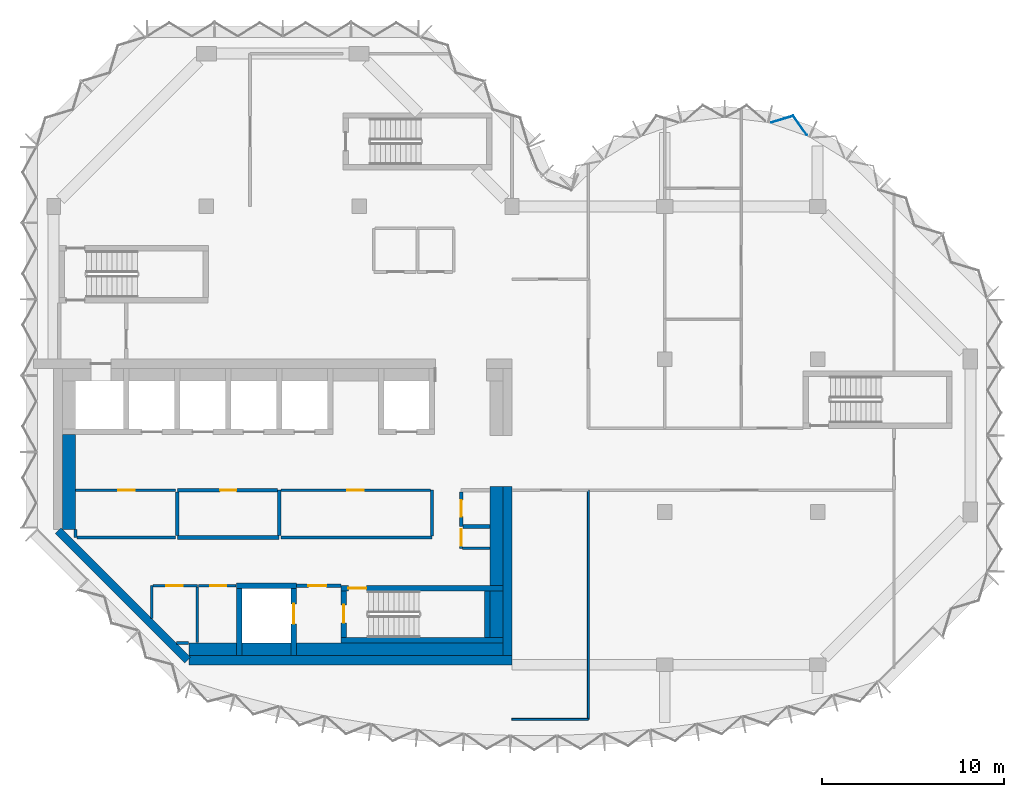
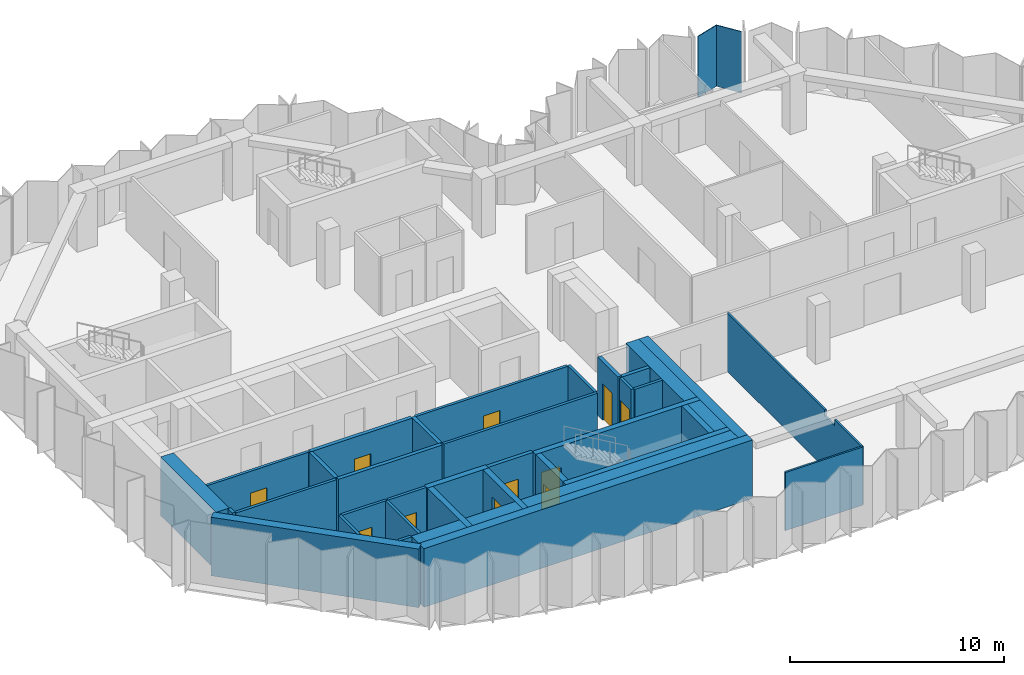
# One storey, part 4 of 9: 38 walls, 11 doors, 1 plate, 11 openings, 1 element without a shape of its own.
"""IFC4 building model written with IfcOpenShell, lengths in metres."""

import ifcopenshell
import ifcopenshell.guid

model = None  # the IFC model being written
_history = None  # IfcOwnerHistory: only IFC2X3 demands one
_inside = {}  # id of a spatial element -> (the spatial element, [elements in it])
_under = {}  # id of a project, library or spatial element -> (it, [spatial elements below it])
_declared = {}  # id of a project -> (the project, [libraries it declares])
_typed = {}  # id of a type object -> (the type object, [elements of that type])
_made_of = {}  # id of a material, layer set ... -> (it, [elements and type objects made of it])


def new_model(schema):
    """Start an empty IFC model of exactly this schema.

    Asked for "IFC4X3", IfcOpenShell would pick the latest addendum, in which some entities
    have other attributes; the version numbers below select the first issue.
    IFC2X3 requires an IfcOwnerHistory on every rooted entity: one is made here for all.
    """
    global model, _history
    if schema == "IFC4X3":
        model = ifcopenshell.file(schema_version=(4, 3, 0, 0))
    else:
        model = ifcopenshell.file(schema=schema)
    _inside.clear()
    _under.clear()
    _declared.clear()
    _typed.clear()
    _made_of.clear()
    _history = None
    if model.schema == "IFC2X3":
        org = make("IfcOrganization", Name="unknown")
        user = make(
            "IfcPersonAndOrganization",
            ThePerson=make("IfcPerson", FamilyName="unknown"),
            TheOrganization=org,
        )
        app = make(
            "IfcApplication",
            ApplicationDeveloper=org,
            Version="unknown",
            ApplicationFullName="unknown",
            ApplicationIdentifier="unknown",
        )
        _history = make(
            "IfcOwnerHistory",
            OwningUser=user,
            OwningApplication=app,
            ChangeAction="ADDED",
            CreationDate=0,
        )
    return model


def make(cls, **values):
    """One entity of the class cls with the attributes given. An attribute that is None is left unset."""
    return model.create_entity(
        cls, **{name: value for name, value in values.items() if value is not None}
    )


def rooted(cls, **values):
    """An entity with a GlobalId (a new one), such as an element, a storey or a relation."""
    return make(cls, GlobalId=ifcopenshell.guid.new(), OwnerHistory=_history, **values)


def si_unit(unit_type, name, prefix=None):
    """IfcSIUnit, for example si_unit("LENGTHUNIT", "METRE", prefix="MILLI")."""
    return make("IfcSIUnit", UnitType=unit_type, Prefix=prefix, Name=name)


def assignment(units):
    """IfcUnitAssignment: the units of a project."""
    return None if units is None else make("IfcUnitAssignment", Units=units)


def point(xyz):
    """IfcCartesianPoint."""
    return None if xyz is None else make("IfcCartesianPoint", Coordinates=xyz)


def direction(xyz):
    """IfcDirection."""
    return None if xyz is None else make("IfcDirection", DirectionRatios=xyz)


def frame(location, z_axis=None, x_axis=None):
    """IfcAxis2Placement3D, a coordinate frame: its origin and axes. An axis left out is left unset."""
    return make(
        "IfcAxis2Placement3D",
        Location=point(location),
        Axis=direction(z_axis),
        RefDirection=direction(x_axis),
    )


def frame_2d(location, x_axis=None):
    """IfcAxis2Placement2D, a coordinate frame in the plane: its origin and x axis."""
    return make(
        "IfcAxis2Placement2D", Location=point(location), RefDirection=direction(x_axis)
    )


def origin():
    """The frame at (0, 0, 0) with its axes left unset."""
    return frame((0.0, 0.0, 0.0))


def place(relative_to, where):
    """IfcLocalPlacement: puts the frame where relative to a parent placement (None: the world)."""
    return make(
        "IfcLocalPlacement", PlacementRelTo=relative_to, RelativePlacement=where
    )


def context(
    kind, dimensions, precision=None, world=None, true_north=None, identifier=None
):
    """IfcGeometricRepresentationContext, for example the 3D "Model" context."""
    return make(
        "IfcGeometricRepresentationContext",
        ContextIdentifier=identifier,
        ContextType=kind,
        CoordinateSpaceDimension=dimensions,
        Precision=precision,
        WorldCoordinateSystem=world,
        TrueNorth=true_north,
    )


def subcontext(parent, identifier, kind, view, scale=None):
    """IfcGeometricRepresentationSubContext, for example "Body" below "Model"."""
    return make(
        "IfcGeometricRepresentationSubContext",
        ContextIdentifier=identifier,
        ContextType=kind,
        ParentContext=parent,
        TargetScale=scale,
        TargetView=view,
    )


def project(units=None, contexts=None):
    """IfcProject with its units and contexts."""
    return rooted(
        "IfcProject",
        Name="project",
        RepresentationContexts=contexts,
        UnitsInContext=assignment(units),
    )


def spatial(cls, under=None, at=None, **own):
    """A site, building, storey or space (cls), placed at a placement, below another one or the project."""
    s = rooted(cls, ObjectPlacement=at, **own)
    if under is not None:
        _under.setdefault(under.id(), (under, []))[1].append(s)
    return s


def polyline(points):
    """IfcPolyline through the points."""
    return make("IfcPolyline", Points=[point(p) for p in points])


def profile(cls, at=None, kind="AREA", **sizes):
    """A parametric profile (cls). Its sizes go by their IFC names, for example OverallWidth=200.0."""
    return make(cls, ProfileType=kind, Position=at, **sizes)


def rectangle(**sizes):
    """IfcRectangleProfileDef."""
    return profile("IfcRectangleProfileDef", **sizes)


def outline(outer, holes=None, kind="AREA"):
    """IfcArbitraryClosedProfileDef: a profile drawn as a closed curve; with holes, ...WithVoids."""
    if holes is None:
        return make("IfcArbitraryClosedProfileDef", ProfileType=kind, OuterCurve=outer)
    return make(
        "IfcArbitraryProfileDefWithVoids",
        ProfileType=kind,
        OuterCurve=outer,
        InnerCurves=holes,
    )


def extrude(swept, where, along, depth):
    """IfcExtrudedAreaSolid: the profile swept, set in the frame where, extruded along a direction by depth."""
    return make(
        "IfcExtrudedAreaSolid",
        SweptArea=swept,
        Position=where,
        ExtrudedDirection=direction(along),
        Depth=depth,
    )


def shape(context_of_items, identifier, shape_type, items):
    """IfcShapeRepresentation: the items that make up one representation, for example the "Body"."""
    return make(
        "IfcShapeRepresentation",
        ContextOfItems=context_of_items,
        RepresentationIdentifier=identifier,
        RepresentationType=shape_type,
        Items=items,
    )


def material(Name=None, Category=None):
    """IfcMaterial."""
    return make("IfcMaterial", Name=Name, Category=Category)


def layer(
    of_material, thickness, ventilated=None, Name=None, Category=None, Priority=None
):
    """IfcMaterialLayer: one layer of a wall or slab, of a material (None: an air gap)."""
    return make(
        "IfcMaterialLayer",
        Material=of_material,
        LayerThickness=thickness,
        IsVentilated=ventilated,
        Name=Name,
        Category=Category,
        Priority=Priority,
    )


def layer_set(layers, Name=None):
    """IfcMaterialLayerSet."""
    return make("IfcMaterialLayerSet", MaterialLayers=layers, LayerSetName=Name)


def made_of(thing, what):
    """Note that an element or type object is made of a material, layer set ...; save() writes the relation."""
    if what is not None:
        _made_of.setdefault(what.id(), (what, []))[1].append(thing)
    return thing


def type_object(cls, material=None, **own):
    """A type object (cls), such as IfcWallType, which elements share."""
    return made_of(rooted(cls, **own), material)


def element(
    cls,
    number,
    at=None,
    inside=None,
    cuts=None,
    type_object=None,
    material=None,
    context=None,
    identifier="Body",
    shape_type=None,
    held_by="IfcProductDefinitionShape",
    body=None,
    shapes=None,
    **own,
):
    """One element of the class cls, such as IfcWall. Its Tag is "e" and its number.

    at: its placement. inside: the storey or other place that contains it. cuts: it is an
    opening in that element (IfcRelVoidsElement). A single representation is given by context,
    identifier, shape_type and body (its items); several are given by shapes. held_by: the class
    of the entity that holds the representations. save() writes the other relations.
    """
    e = rooted(cls, Tag="e%d" % number, ObjectPlacement=at, **own)
    if body is not None:
        shapes = [shape(context, identifier, shape_type, body)]
    if shapes is not None:
        e.Representation = make(held_by, Representations=shapes)
    if inside is not None:
        _inside.setdefault(inside.id(), (inside, []))[1].append(e)
    if cuts is not None:
        rooted(
            "IfcRelVoidsElement", RelatingBuildingElement=cuts, RelatedOpeningElement=e
        )
    if type_object is not None:
        _typed.setdefault(type_object.id(), (type_object, []))[1].append(e)
    return made_of(e, material)


def fill(opening, filler):
    """IfcRelFillsElement: the door or window that sits in an opening."""
    return rooted(
        "IfcRelFillsElement",
        RelatingOpeningElement=opening,
        RelatedBuildingElement=filler,
    )


def aggregate(whole, parts):
    """IfcRelAggregates: a whole, such as a stair, and the parts it consists of."""
    return rooted("IfcRelAggregates", RelatingObject=whole, RelatedObjects=parts)


def save(model, path):
    """Write the relations noted so far, then the file.

    IfcRelAggregates (storeys below a building ...), IfcRelContainedInSpatialStructure (elements
    in a storey), IfcRelDefinesByType, IfcRelAssociatesMaterial and IfcRelDeclares: one each for
    every whole, place, type object, material and project.
    """
    for whole, parts in _under.values():
        aggregate(whole, parts)
    for where, things in _inside.values():
        rooted(
            "IfcRelContainedInSpatialStructure",
            RelatedElements=things,
            RelatingStructure=where,
        )
    for kind, things in _typed.values():
        rooted("IfcRelDefinesByType", RelatedObjects=things, RelatingType=kind)
    for what, things in _made_of.values():
        rooted("IfcRelAssociatesMaterial", RelatedObjects=things, RelatingMaterial=what)
    for by, libraries in _declared.values():
        rooted("IfcRelDeclares", RelatingContext=by, RelatedDefinitions=libraries)
    model.write(path)


model = new_model("IFC4")

# Units and contexts
model_context = context("Model", 3, precision=1e-05, world=origin(), true_north=direction((0.0, 1.0)))
body_context = subcontext(model_context, "Body", "Model", "MODEL_VIEW")
ifc_project = project(units=[si_unit("LENGTHUNIT", "METRE"), si_unit("AREAUNIT", "SQUARE_METRE"), si_unit("VOLUMEUNIT", "CUBIC_METRE"), si_unit("PLANEANGLEUNIT", "RADIAN"), si_unit("MASSUNIT", "GRAM", prefix="KILO")], contexts=[model_context])

# Site, building, storey
site_placement = place(None, origin())
site = spatial("IfcSite", under=ifc_project, at=site_placement, CompositionType="ELEMENT")
building_placement = place(site_placement, origin())
building = spatial("IfcBuilding", under=site, at=building_placement, Name="Brevane Broadcast Tower", CompositionType="ELEMENT")
storey_placement = place(building_placement, frame((0.0, 0.0, 248.10009765625)))
storey = spatial("IfcBuildingStorey", under=building, at=storey_placement, Name="L63", CompositionType="ELEMENT", Elevation=248.10009765625)

# Curtain wall, plate
ifc_material_1 = material(Name="Aluminium 6063-T6 bronze anodised", Category="aluminium")
curtain_wall_type = type_object("IfcCurtainWallType", Name="CW-1 curtain wall", PredefinedType="NOTDEFINED", material=ifc_material_1)
curtain_wall_placement = place(storey_placement, origin())
curtain_wall = element("IfcCurtainWall", 1, at=curtain_wall_placement, inside=storey, type_object=curtain_wall_type, Name="CW-1 typical tilted unit L63 east bow", PredefinedType="NOTDEFINED")
ifc_material_2 = material(Name="Laminated glass bronze-tinted", Category="glass")
ifc_layer_1 = layer(ifc_material_2, 0.0400390625)
ifc_layer_set_1 = layer_set([ifc_layer_1], Name="CW tall glass panel 40")
plate_type = type_object("IfcPlateType", Name="CW tall glass panel 40", PredefinedType="CURTAIN_PANEL", material=ifc_layer_set_1)
plate_placement = place(storey_placement, frame((0.0, 0.0, -0.150146484375)))
plate = element("IfcPlate", 2, at=plate_placement, type_object=plate_type, Name="CW-1 glass panel", PredefinedType="CURTAIN_PANEL", context=body_context, shape_type="SweptSolid", body=[
    extrude(outline(polyline([(41.3994140625, 29.104248046875), (41.4189453125, 29.1455078125), (40.667724609375, 30.20166015625), (39.45068359375, 29.83349609375), (39.440185546875, 29.78857421875), (40.65185546875, 30.155029296875), (41.3994140625, 29.104248046875)])), origin(), (0.0, 0.0, 1.0), 3.5),
])
aggregate(curtain_wall, [plate])

# Walls
ifc_material_3 = material(Name="Concrete C32/40", Category="concrete")
ifc_layer_2 = layer(ifc_material_3, 0.699951171875)
ifc_layer_set_2 = layer_set([ifc_layer_2], Name="Core chase wall 700 mm")
wall_type_1 = type_object("IfcWallType", Name="Core chase wall 700 mm", PredefinedType="PARTITIONING", material=ifc_layer_set_2)
wall_1_placement = place(storey_placement, frame((0.85009765625, 7.436279296875, 0.0), z_axis=(0.0, 0.0, 1.0), x_axis=(0.0, 1.0, 0.0)))
element("IfcWall", 3, at=wall_1_placement, inside=storey, type_object=wall_type_1, Name="L63 chase wall LW-1", PredefinedType="PARTITIONING", context=body_context, shape_type="SweptSolid", body=[
    extrude(rectangle(XDim=5.213623046875, YDim=0.699951171875, at=frame_2d((2.60693359375, 0.0))), origin(), (0.0, 0.0, 1.0), 3.349853515625),
])
wall_2_placement = place(storey_placement, frame((7.436279296875, 0.85009765625, 0.0), z_axis=(0.0, 0.0, 1.0), x_axis=(1.0, 0.0, 0.0)))
element("IfcWall", 4, at=wall_2_placement, inside=storey, type_object=wall_type_1, Name="L63 chase wall LS-1", PredefinedType="PARTITIONING", context=body_context, shape_type="SweptSolid", body=[
    extrude(rectangle(XDim=2.61376953125, YDim=0.699951171875, at=frame_2d((1.306884765625, 0.0))), origin(), (0.0, 0.0, 1.0), 3.349853515625),
])
wall_3_placement = place(storey_placement, frame((10.35009765625, 0.85009765625, 0.0), z_axis=(0.0, 0.0, 1.0), x_axis=(1.0, 0.0, 0.0)))
element("IfcWall", 5, at=wall_3_placement, inside=storey, type_object=wall_type_1, Name="L63 chase wall LS-2-1", PredefinedType="PARTITIONING", context=body_context, shape_type="SweptSolid", body=[
    extrude(rectangle(XDim=2.699951171875, YDim=0.699951171875, at=frame_2d((1.35009765625, 0.0))), origin(), (0.0, 0.0, 1.0), 3.349853515625),
])
wall_4_placement = place(storey_placement, frame((13.35009765625, 0.85009765625, 0.0), z_axis=(0.0, 0.0, 1.0), x_axis=(1.0, 0.0, 0.0)))
element("IfcWall", 6, at=wall_4_placement, inside=storey, type_object=wall_type_1, Name="L63 chase wall LS-2-2", PredefinedType="PARTITIONING", context=body_context, shape_type="SweptSolid", body=[
    extrude(rectangle(XDim=11.349853515625, YDim=0.699951171875, at=frame_2d((5.6748046875, 0.0))), origin(), (0.0, 0.0, 1.0), 3.349853515625),
])
wall_5_placement = place(storey_placement, frame((24.35009765625, 1.5, 0.0), z_axis=(0.0, 0.0, 1.0), x_axis=(0.0, 1.0, 0.0)))
element("IfcWall", 7, at=wall_5_placement, inside=storey, type_object=wall_type_1, Name="L63 chase wall LE1-2-1", PredefinedType="PARTITIONING", context=body_context, shape_type="SweptSolid", body=[
    extrude(rectangle(XDim=2.550048828125, YDim=0.699951171875, at=frame_2d((1.27490234375, 0.0))), origin(), (0.0, 0.0, 1.0), 3.349853515625),
])
wall_6_placement = place(storey_placement, frame((24.35009765625, 4.35009765625, 0.0), z_axis=(0.0, 0.0, 1.0), x_axis=(0.0, 1.0, 0.0)))
element("IfcWall", 8, at=wall_6_placement, inside=storey, type_object=wall_type_1, Name="L63 chase wall LE1-2-2", PredefinedType="PARTITIONING", context=body_context, shape_type="SweptSolid", body=[
    extrude(rectangle(XDim=5.449951171875, YDim=0.699951171875, at=frame_2d((2.72509765625, 0.0))), origin(), (0.0, 0.0, 1.0), 3.349853515625),
])
ifc_material_4 = material(Name="Gypsum board on steel studs", Category="steel")
ifc_layer_3 = layer(ifc_material_4, 0.14990234375)
ifc_layer_set_3 = layer_set([ifc_layer_3], Name="Core fire partition 150 mm")
wall_type_2 = type_object("IfcWallType", Name="Core fire partition 150 mm", PredefinedType="PARTITIONING", material=ifc_layer_set_3)
wall_7_placement = place(storey_placement, frame((5.39990234375, 2.553466796875, 0.0), z_axis=(0.0, 0.0, 1.0), x_axis=(0.0, 1.0, 0.0)))
element("IfcWall", 9, at=wall_7_placement, inside=storey, type_object=wall_type_2, Name="L63 partition wall P11", PredefinedType="PARTITIONING", context=body_context, shape_type="SweptSolid", body=[
    extrude(rectangle(XDim=1.796630859375, YDim=0.14990234375, at=frame_2d((0.8984375, 0.0))), origin(), (0.0, 0.0, 1.0), 3.349853515625),
])

# Wall, opening, door
wall_8_placement = place(storey_placement, frame((5.47509765625, 4.35009765625, 0.0), z_axis=(0.0, 0.0, 1.0), x_axis=(1.0, 0.0, 0.0)))
wall_8 = element("IfcWall", 10, at=wall_8_placement, inside=storey, type_object=wall_type_2, Name="L63 partition wall P12", PredefinedType="PARTITIONING", context=body_context, shape_type="SweptSolid", body=[
    extrude(rectangle(XDim=2.4248046875, YDim=0.14990234375, at=frame_2d((1.21240234375, 0.0))), origin(), (0.0, 0.0, 1.0), 3.349853515625),
])
opening_1_placement = place(wall_8_placement, frame((0.72509765625, 0.0, 0.0)))
opening_1 = element("IfcOpeningElement", 11, at=opening_1_placement, cuts=wall_8, Name="Opening L63-K14", PredefinedType="OPENING", context=body_context, shape_type="SweptSolid", body=[
    extrude(rectangle(XDim=0.89990234375, YDim=2.10009765625, at=frame_2d((0.449951171875, 1.050048828125))), frame((0.0, 0.0849609375, 0.0), z_axis=(0.0, -1.0, 0.0), x_axis=(1.0, 0.0, 0.0)), (0.0, 0.0, 1.0), 0.169921875),
])
ifc_material_5 = material(Name="Timber", Category="wood")
door_type_1 = type_object("IfcDoorType", Name="Toilet door 900 x 2100", OperationType="SINGLE_SWING_LEFT", PredefinedType="DOOR", material=ifc_material_5)
door_1_placement = place(opening_1_placement, origin())
door_1 = element("IfcDoor", 12, at=door_1_placement, inside=storey, type_object=door_type_1, Name="Door L63-K14", OperationType="SINGLE_SWING_LEFT", OverallHeight=2.10009765625, OverallWidth=0.89990234375, PredefinedType="DOOR", context=body_context, shape_type="SweptSolid", body=[
    extrude(rectangle(XDim=0.89990234375, YDim=2.10009765625, at=frame_2d((0.449951171875, 1.050048828125))), frame((0.0, 0.02490234375, 0.0), z_axis=(0.0, -1.0, 0.0), x_axis=(1.0, 0.0, 0.0)), (0.0, 0.0, 1.0), 0.050048828125),
])
fill(opening_1, door_1)

# Walls
wall_9_placement = place(storey_placement, frame((7.89990234375, 4.27490234375, 0.0), z_axis=(0.0, 0.0, 1.0), x_axis=(0.0, -1.0, 0.0)))
element("IfcWall", 13, at=wall_9_placement, inside=storey, type_object=wall_type_2, Name="L63 partition wall P13", PredefinedType="PARTITIONING", context=body_context, shape_type="SweptSolid", body=[
    extrude(rectangle(XDim=3.06298828125, YDim=0.14990234375, at=frame_2d((1.531494140625, 0.0))), origin(), (0.0, 0.0, 1.0), 3.349853515625),
])
wall_10_placement = place(storey_placement, frame((7.42431640625, 1.199951171875, 0.0), z_axis=(0.0, 0.0, 1.0), x_axis=(-1.0, 0.0, 0.0)))
element("IfcWall", 14, at=wall_10_placement, inside=storey, type_object=wall_type_2, Name="L63 partition wall P14", PredefinedType="PARTITIONING", context=body_context, shape_type="SweptSolid", body=[
    extrude(rectangle(XDim=0.6708984375, YDim=0.14990234375, at=frame_2d((0.33544921875, 0.0))), origin(), (0.0, 0.0, 1.0), 3.349853515625),
])

# Wall, opening, door
wall_11_placement = place(storey_placement, frame((6.699951171875, 9.60009765625, 0.0), z_axis=(0.0, 0.0, 1.0), x_axis=(-1.0, 0.0, 0.0)))
wall_11 = element("IfcWall", 15, at=wall_11_placement, inside=storey, type_object=wall_type_2, Name="L63 partition wall P15", PredefinedType="PARTITIONING", context=body_context, shape_type="SweptSolid", body=[
    extrude(rectangle(XDim=5.488037109375, YDim=0.14990234375, at=frame_2d((2.744140625, 0.0))), origin(), (0.0, 0.0, 1.0), 3.349853515625),
])
opening_2_placement = place(wall_11_placement, frame((2.25, 0.0, 0.0)))
opening_2 = element("IfcOpeningElement", 16, at=opening_2_placement, cuts=wall_11, Name="Opening L63-K19", PredefinedType="OPENING", context=body_context, shape_type="SweptSolid", body=[
    extrude(rectangle(XDim=0.89990234375, YDim=2.10009765625, at=frame_2d((0.449951171875, 1.050048828125))), frame((0.0, 0.0849609375, 0.0), z_axis=(0.0, -1.0, 0.0), x_axis=(1.0, 0.0, 0.0)), (0.0, 0.0, 1.0), 0.169921875),
])
ifc_material_6 = material(Name="Steel", Category="steel")
door_type_2 = type_object("IfcDoorType", Name="Service room door 900 x 2100", OperationType="SINGLE_SWING_LEFT", PredefinedType="DOOR", material=ifc_material_6)
door_2_placement = place(opening_2_placement, origin())
door_2 = element("IfcDoor", 17, at=door_2_placement, inside=storey, type_object=door_type_2, Name="Door L63-K19", OperationType="SINGLE_SWING_RIGHT", OverallHeight=2.10009765625, OverallWidth=0.89990234375, PredefinedType="DOOR", context=body_context, shape_type="SweptSolid", body=[
    extrude(rectangle(XDim=0.89990234375, YDim=2.10009765625, at=frame_2d((0.449951171875, 1.050048828125))), frame((0.0, 0.02490234375, 0.0), z_axis=(0.0, -1.0, 0.0), x_axis=(1.0, 0.0, 0.0)), (0.0, 0.0, 1.0), 0.050048828125),
])
fill(opening_2, door_2)

# Walls
wall_12_placement = place(storey_placement, frame((1.199951171875, 7.42431640625, 0.0), z_axis=(0.0, 0.0, 1.0), x_axis=(0.0, -1.0, 0.0)))
element("IfcWall", 18, at=wall_12_placement, inside=storey, type_object=wall_type_2, Name="L63 partition wall P16", PredefinedType="PARTITIONING", context=body_context, shape_type="SweptSolid", body=[
    extrude(rectangle(XDim=0.42431640625, YDim=0.14990234375, at=frame_2d((0.212158203125, 0.0))), origin(), (0.0, 0.0, 1.0), 3.349853515625),
])
wall_13_placement = place(storey_placement, frame((1.27490234375, 7.0, 0.0), z_axis=(0.0, 0.0, 1.0), x_axis=(1.0, 0.0, 0.0)))
element("IfcWall", 19, at=wall_13_placement, inside=storey, type_object=wall_type_2, Name="L63 partition wall P17", PredefinedType="PARTITIONING", context=body_context, shape_type="SweptSolid", body=[
    extrude(rectangle(XDim=5.425048828125, YDim=0.14990234375, at=frame_2d((2.71240234375, 0.0))), origin(), (0.0, 0.0, 1.0), 3.349853515625),
])

# Wall, opening, door
wall_14_placement = place(storey_placement, frame((10.0380859375, 4.35009765625, 0.0), z_axis=(0.0, 0.0, 1.0), x_axis=(-1.0, 0.0, 0.0)))
wall_14 = element("IfcWall", 20, at=wall_14_placement, inside=storey, type_object=wall_type_2, Name="L63 partition wall P18", PredefinedType="PARTITIONING", context=body_context, shape_type="SweptSolid", body=[
    extrude(rectangle(XDim=2.06298828125, YDim=0.14990234375, at=frame_2d((1.031494140625, 0.0))), origin(), (0.0, 0.0, 1.0), 3.349853515625),
])
opening_3_placement = place(wall_14_placement, frame((0.5380859375, 0.0, 0.0)))
opening_3 = element("IfcOpeningElement", 21, at=opening_3_placement, cuts=wall_14, Name="Opening L63-K15", PredefinedType="OPENING", context=body_context, shape_type="SweptSolid", body=[
    extrude(rectangle(XDim=0.89990234375, YDim=2.10009765625, at=frame_2d((0.449951171875, 1.050048828125))), frame((0.0, 0.0849609375, 0.0), z_axis=(0.0, -1.0, 0.0), x_axis=(1.0, 0.0, 0.0)), (0.0, 0.0, 1.0), 0.169921875),
])
door_3_placement = place(opening_3_placement, origin())
door_3 = element("IfcDoor", 22, at=door_3_placement, inside=storey, type_object=door_type_1, Name="Door L63-K15", OperationType="SINGLE_SWING_RIGHT", OverallHeight=2.10009765625, OverallWidth=0.89990234375, PredefinedType="DOOR", context=body_context, shape_type="SweptSolid", body=[
    extrude(rectangle(XDim=0.89990234375, YDim=2.10009765625, at=frame_2d((0.449951171875, 1.050048828125))), frame((0.0, 0.02490234375, 0.0), z_axis=(0.0, -1.0, 0.0), x_axis=(1.0, 0.0, 0.0)), (0.0, 0.0, 1.0), 0.050048828125),
])
fill(opening_3, door_3)

# Walls
wall_15_placement = place(storey_placement, frame((12.5, 7.0, 0.0), z_axis=(0.0, 0.0, 1.0), x_axis=(1.0, 0.0, 0.0)))
element("IfcWall", 23, at=wall_15_placement, inside=storey, type_object=wall_type_2, Name="L63 partition wall P19", PredefinedType="PARTITIONING", context=body_context, shape_type="SweptSolid", body=[
    extrude(rectangle(XDim=8.300048828125, YDim=0.14990234375, at=frame_2d((4.14990234375, 0.0))), origin(), (0.0, 0.0, 1.0), 3.349853515625),
])
wall_16_placement = place(storey_placement, frame((20.800048828125, 7.074951171875, 0.0), z_axis=(0.0, 0.0, 1.0), x_axis=(0.0, 1.0, 0.0)))
element("IfcWall", 24, at=wall_16_placement, inside=storey, type_object=wall_type_2, Name="L63 partition wall P20", PredefinedType="PARTITIONING", context=body_context, shape_type="SweptSolid", body=[
    extrude(rectangle(XDim=2.525146484375, YDim=0.14990234375, at=frame_2d((1.2626953125, 0.0))), origin(), (0.0, 0.0, 1.0), 3.349853515625),
])

# Wall, opening, door
wall_17_placement = place(storey_placement, frame((20.72509765625, 9.60009765625, 0.0), z_axis=(0.0, 0.0, 1.0), x_axis=(-1.0, 0.0, 0.0)))
wall_17 = element("IfcWall", 25, at=wall_17_placement, inside=storey, type_object=wall_type_2, Name="L63 partition wall P21", PredefinedType="PARTITIONING", context=body_context, shape_type="SweptSolid", body=[
    extrude(rectangle(XDim=8.22509765625, YDim=0.14990234375, at=frame_2d((4.112548828125, 0.0))), origin(), (0.0, 0.0, 1.0), 3.349853515625),
])
opening_4_placement = place(wall_17_placement, frame((3.675048828125, 0.0, 0.0)))
opening_4 = element("IfcOpeningElement", 26, at=opening_4_placement, cuts=wall_17, Name="Opening L63-K21", PredefinedType="OPENING", context=body_context, shape_type="SweptSolid", body=[
    extrude(rectangle(XDim=0.89990234375, YDim=2.10009765625, at=frame_2d((0.449951171875, 1.050048828125))), frame((0.0, 0.0849609375, 0.0), z_axis=(0.0, -1.0, 0.0), x_axis=(1.0, 0.0, 0.0)), (0.0, 0.0, 1.0), 0.169921875),
])
door_4_placement = place(opening_4_placement, origin())
door_4 = element("IfcDoor", 27, at=door_4_placement, inside=storey, type_object=door_type_2, Name="Door L63-K21", OperationType="SINGLE_SWING_RIGHT", OverallHeight=2.10009765625, OverallWidth=0.89990234375, PredefinedType="DOOR", context=body_context, shape_type="SweptSolid", body=[
    extrude(rectangle(XDim=0.89990234375, YDim=2.10009765625, at=frame_2d((0.449951171875, 1.050048828125))), frame((0.0, 0.02490234375, 0.0), z_axis=(0.0, -1.0, 0.0), x_axis=(1.0, 0.0, 0.0)), (0.0, 0.0, 1.0), 0.050048828125),
])
fill(opening_4, door_4)

wall_18_placement = place(storey_placement, frame((22.39990234375, 7.5, 0.0), z_axis=(0.0, 0.0, 1.0), x_axis=(0.0, -1.0, 0.0)))
wall_18 = element("IfcWall", 28, at=wall_18_placement, inside=storey, type_object=wall_type_2, Name="L63 partition wall P29", PredefinedType="PARTITIONING", context=body_context, shape_type="SweptSolid", body=[
    extrude(rectangle(XDim=1.10009765625, YDim=0.14990234375, at=frame_2d((0.550048828125, 0.0))), origin(), (0.0, 0.0, 1.0), 3.349853515625),
])
opening_5_placement = place(wall_18_placement, frame((0.050048828125, 0.0, 0.0)))
opening_5 = element("IfcOpeningElement", 29, at=opening_5_placement, cuts=wall_18, Name="Opening L63-K17", PredefinedType="OPENING", context=body_context, shape_type="SweptSolid", body=[
    extrude(rectangle(XDim=0.89990234375, YDim=2.10009765625, at=frame_2d((0.449951171875, 1.050048828125))), frame((0.0, 0.0849609375, 0.0), z_axis=(0.0, -1.0, 0.0), x_axis=(1.0, 0.0, 0.0)), (0.0, 0.0, 1.0), 0.169921875),
])
door_5_placement = place(opening_5_placement, origin())
door_5 = element("IfcDoor", 30, at=door_5_placement, inside=storey, type_object=door_type_2, Name="Door L63-K17", OperationType="SINGLE_SWING_RIGHT", OverallHeight=2.10009765625, OverallWidth=0.89990234375, PredefinedType="DOOR", context=body_context, shape_type="SweptSolid", body=[
    extrude(rectangle(XDim=0.89990234375, YDim=2.10009765625, at=frame_2d((0.449951171875, 1.050048828125))), frame((0.0, 0.02490234375, 0.0), z_axis=(0.0, -1.0, 0.0), x_axis=(1.0, 0.0, 0.0)), (0.0, 0.0, 1.0), 0.050048828125),
])
fill(opening_5, door_5)

# Wall
wall_19_placement = place(storey_placement, frame((22.47509765625, 6.39990234375, 0.0), z_axis=(0.0, 0.0, 1.0), x_axis=(1.0, 0.0, 0.0)))
element("IfcWall", 31, at=wall_19_placement, inside=storey, type_object=wall_type_2, Name="L63 partition wall P30", PredefinedType="PARTITIONING", context=body_context, shape_type="SweptSolid", body=[
    extrude(rectangle(XDim=1.512939453125, YDim=0.14990234375, at=frame_2d((0.75634765625, 0.0))), origin(), (0.0, 0.0, 1.0), 3.349853515625),
])

# Wall, opening, door
ifc_layer_4 = layer(ifc_material_4, 0.199951171875)
ifc_layer_set_4 = layer_set([ifc_layer_4], Name="Core fire partition 200 mm")
wall_type_3 = type_object("IfcWallType", Name="Core fire partition 200 mm", PredefinedType="PARTITIONING", material=ifc_layer_set_4)
wall_20_placement = place(storey_placement, frame((13.362060546875, 4.35009765625, 0.0), z_axis=(0.0, 0.0, 1.0), x_axis=(1.0, 0.0, 0.0)))
wall_20 = element("IfcWall", 32, at=wall_20_placement, inside=storey, type_object=wall_type_3, Name="L63 partition wall P03", PredefinedType="PARTITIONING", context=body_context, shape_type="SweptSolid", body=[
    extrude(rectangle(XDim=2.426025390625, YDim=0.199951171875, at=frame_2d((1.212890625, 0.0))), origin(), (0.0, 0.0, 1.0), 3.349853515625),
])
opening_6_placement = place(wall_20_placement, frame((0.637939453125, 0.0, 0.0)))
opening_6 = element("IfcOpeningElement", 33, at=opening_6_placement, cuts=wall_20, Name="Opening L63-K16", PredefinedType="OPENING", context=body_context, shape_type="SweptSolid", body=[
    extrude(rectangle(XDim=1.0, YDim=2.10009765625, at=frame_2d((0.5, 1.050048828125))), frame((0.0, 0.10986328125, 0.0), z_axis=(0.0, -1.0, 0.0), x_axis=(1.0, 0.0, 0.0)), (0.0, 0.0, 1.0), 0.219970703125),
])
door_type_3 = type_object("IfcDoorType", Name="Stair door 1000 x 2100", OperationType="SINGLE_SWING_LEFT", PredefinedType="DOOR", material=ifc_material_6)
door_6_placement = place(opening_6_placement, origin())
door_6 = element("IfcDoor", 34, at=door_6_placement, inside=storey, type_object=door_type_3, Name="Door L63-K16", OperationType="SINGLE_SWING_LEFT", OverallHeight=2.10009765625, OverallWidth=1.0, PredefinedType="DOOR", context=body_context, shape_type="SweptSolid", body=[
    extrude(rectangle(XDim=1.0, YDim=2.10009765625, at=frame_2d((0.5, 1.050048828125))), frame((0.0, 0.02490234375, 0.0), z_axis=(0.0, -1.0, 0.0), x_axis=(1.0, 0.0, 0.0)), (0.0, 0.0, 1.0), 0.050048828125),
])
fill(opening_6, door_6)

wall_21_placement = place(storey_placement, frame((22.39990234375, 9.5, 0.0), z_axis=(0.0, 0.0, 1.0), x_axis=(0.0, -1.0, 0.0)))
wall_21 = element("IfcWall", 35, at=wall_21_placement, inside=storey, type_object=wall_type_3, Name="L63 partition wall P05", PredefinedType="PARTITIONING", context=body_context, shape_type="SweptSolid", body=[
    extrude(rectangle(XDim=1.89990234375, YDim=0.199951171875, at=frame_2d((0.949951171875, 0.0))), origin(), (0.0, 0.0, 1.0), 3.349853515625),
])
opening_7_placement = place(wall_21_placement, frame((0.449951171875, 0.0, 0.0)))
opening_7 = element("IfcOpeningElement", 36, at=opening_7_placement, cuts=wall_21, Name="Opening L63-K18", PredefinedType="OPENING", context=body_context, shape_type="SweptSolid", body=[
    extrude(rectangle(XDim=0.89990234375, YDim=2.10009765625, at=frame_2d((0.449951171875, 1.050048828125))), frame((0.0, 0.10986328125, 0.0), z_axis=(0.0, -1.0, 0.0), x_axis=(1.0, 0.0, 0.0)), (0.0, 0.0, 1.0), 0.219970703125),
])
door_7_placement = place(opening_7_placement, origin())
door_7 = element("IfcDoor", 37, at=door_7_placement, inside=storey, type_object=door_type_2, Name="Door L63-K18", OperationType="SINGLE_SWING_LEFT", OverallHeight=2.10009765625, OverallWidth=0.89990234375, PredefinedType="DOOR", context=body_context, shape_type="SweptSolid", body=[
    extrude(rectangle(XDim=0.89990234375, YDim=2.10009765625, at=frame_2d((0.449951171875, 1.050048828125))), frame((0.0, 0.02490234375, 0.0), z_axis=(0.0, -1.0, 0.0), x_axis=(1.0, 0.0, 0.0)), (0.0, 0.0, 1.0), 0.050048828125),
])
fill(opening_7, door_7)

# Walls
wall_22_placement = place(storey_placement, frame((22.5, 7.60009765625, 0.0), z_axis=(0.0, 0.0, 1.0), x_axis=(1.0, 0.0, 0.0)))
element("IfcWall", 38, at=wall_22_placement, inside=storey, type_object=wall_type_3, Name="L63 partition wall P06", PredefinedType="PARTITIONING", context=body_context, shape_type="SweptSolid", body=[
    extrude(rectangle(XDim=1.488037109375, YDim=0.199951171875, at=frame_2d((0.744140625, 0.0))), origin(), (0.0, 0.0, 1.0), 3.349853515625),
])
wall_23_placement = place(storey_placement, frame((6.800048828125, 7.0, 0.0), z_axis=(0.0, 0.0, 1.0), x_axis=(1.0, 0.0, 0.0)))
element("IfcWall", 39, at=wall_23_placement, inside=storey, type_object=wall_type_3, Name="L63 partition wall P07", PredefinedType="PARTITIONING", context=body_context, shape_type="SweptSolid", body=[
    extrude(rectangle(XDim=5.599853515625, YDim=0.199951171875, at=frame_2d((2.7998046875, 0.0))), origin(), (0.0, 0.0, 1.0), 3.349853515625),
])
wall_24_placement = place(storey_placement, frame((12.39990234375, 7.10009765625, 0.0), z_axis=(0.0, 0.0, 1.0), x_axis=(0.0, 1.0, 0.0)))
element("IfcWall", 40, at=wall_24_placement, inside=storey, type_object=wall_type_3, Name="L63 partition wall P08", PredefinedType="PARTITIONING", context=body_context, shape_type="SweptSolid", body=[
    extrude(rectangle(XDim=2.5, YDim=0.199951171875, at=frame_2d((1.25, 0.0))), origin(), (0.0, 0.0, 1.0), 3.349853515625),
])

# Wall, opening, door
wall_25_placement = place(storey_placement, frame((12.300048828125, 9.60009765625, 0.0), z_axis=(0.0, 0.0, 1.0), x_axis=(-1.0, 0.0, 0.0)))
wall_25 = element("IfcWall", 41, at=wall_25_placement, inside=storey, type_object=wall_type_3, Name="L63 partition wall P09", PredefinedType="PARTITIONING", context=body_context, shape_type="SweptSolid", body=[
    extrude(rectangle(XDim=5.5, YDim=0.199951171875, at=frame_2d((2.75, 0.0))), origin(), (0.0, 0.0, 1.0), 3.349853515625),
])
opening_8_placement = place(wall_25_placement, frame((2.25, 0.0, 0.0)))
opening_8 = element("IfcOpeningElement", 42, at=opening_8_placement, cuts=wall_25, Name="Opening L63-K20", PredefinedType="OPENING", context=body_context, shape_type="SweptSolid", body=[
    extrude(rectangle(XDim=0.89990234375, YDim=2.10009765625, at=frame_2d((0.449951171875, 1.050048828125))), frame((0.0, 0.10986328125, 0.0), z_axis=(0.0, -1.0, 0.0), x_axis=(1.0, 0.0, 0.0)), (0.0, 0.0, 1.0), 0.219970703125),
])
door_8_placement = place(opening_8_placement, origin())
door_8 = element("IfcDoor", 43, at=door_8_placement, inside=storey, type_object=door_type_2, Name="Door L63-K20", OperationType="SINGLE_SWING_LEFT", OverallHeight=2.10009765625, OverallWidth=0.89990234375, PredefinedType="DOOR", context=body_context, shape_type="SweptSolid", body=[
    extrude(rectangle(XDim=0.89990234375, YDim=2.10009765625, at=frame_2d((0.449951171875, 1.050048828125))), frame((0.0, 0.02490234375, 0.0), z_axis=(0.0, -1.0, 0.0), x_axis=(1.0, 0.0, 0.0)), (0.0, 0.0, 1.0), 0.050048828125),
])
fill(opening_8, door_8)

# Walls
wall_26_placement = place(storey_placement, frame((6.800048828125, 9.5, 0.0), z_axis=(0.0, 0.0, 1.0), x_axis=(0.0, -1.0, 0.0)))
element("IfcWall", 44, at=wall_26_placement, inside=storey, type_object=wall_type_3, Name="L63 partition wall P10", PredefinedType="PARTITIONING", context=body_context, shape_type="SweptSolid", body=[
    extrude(rectangle(XDim=2.39990234375, YDim=0.199951171875, at=frame_2d((1.199951171875, 0.0))), origin(), (0.0, 0.0, 1.0), 3.349853515625),
])
ifc_material_7 = material(Name="Concrete C50/60", Category="concrete")
ifc_layer_5 = layer(ifc_material_7, 0.300048828125)
ifc_layer_set_5 = layer_set([ifc_layer_5], Name="Core wall 300 mm C50/60")
wall_type_4 = type_object("IfcWallType", Name="Core wall 300 mm C50/60", PredefinedType="SHEAR", material=ifc_layer_set_5)
wall_27_placement = place(storey_placement, frame((10.199951171875, 0.5, 0.0), z_axis=(0.0, 0.0, 1.0), x_axis=(0.0, 1.0, 0.0)))
element("IfcWall", 45, at=wall_27_placement, inside=storey, type_object=wall_type_4, Name="L63 shaft wall FF2-W", PredefinedType="SHEAR", context=body_context, shape_type="SweptSolid", body=[
    extrude(rectangle(XDim=3.699951171875, YDim=0.300048828125, at=frame_2d((1.85009765625, 0.0))), origin(), (0.0, 0.0, 1.0), 3.349853515625),
])

# Wall, opening, door
wall_28_placement = place(storey_placement, frame((13.199951171875, 0.5, 0.0), z_axis=(0.0, 0.0, 1.0), x_axis=(0.0, 1.0, 0.0)))
wall_28 = element("IfcWall", 46, at=wall_28_placement, inside=storey, type_object=wall_type_4, Name="L63 shaft wall FF2-E", PredefinedType="SHEAR", context=body_context, shape_type="SweptSolid", body=[
    extrude(rectangle(XDim=3.699951171875, YDim=0.300048828125, at=frame_2d((1.85009765625, 0.0))), origin(), (0.0, 0.0, 1.0), 3.349853515625),
])
opening_9_placement = place(wall_28_placement, frame((1.75, 0.0, 0.0)))
opening_9 = element("IfcOpeningElement", 47, at=opening_9_placement, cuts=wall_28, Name="Opening LD", PredefinedType="OPENING", context=body_context, shape_type="SweptSolid", body=[
    extrude(rectangle(XDim=1.10009765625, YDim=2.300048828125, at=frame_2d((0.550048828125, 1.14990234375))), frame((0.0, 0.159912109375, 0.0), z_axis=(0.0, -1.0, 0.0), x_axis=(1.0, 0.0, 0.0)), (0.0, 0.0, 1.0), 0.320068359375),
])
ifc_material_8 = material(Name="Stainless steel", Category="steel")
door_type_4 = type_object("IfcDoorType", Name="Lift landing door", OperationType="SLIDING_TO_LEFT", PredefinedType="DOOR", material=ifc_material_8)
door_9_placement = place(opening_9_placement, origin())
door_9 = element("IfcDoor", 48, at=door_9_placement, inside=storey, type_object=door_type_4, Name="Landing door FF2 L63", OperationType="SLIDING_TO_LEFT", OverallHeight=2.300048828125, OverallWidth=1.10009765625, PredefinedType="DOOR", context=body_context, shape_type="SweptSolid", body=[
    extrude(rectangle(XDim=1.10009765625, YDim=2.300048828125, at=frame_2d((0.550048828125, 1.14990234375))), frame((0.0, 0.02490234375, 0.0), z_axis=(0.0, -1.0, 0.0), x_axis=(1.0, 0.0, 0.0)), (0.0, 0.0, 1.0), 0.050048828125),
])
fill(opening_9, door_9)

# Walls
wall_29_placement = place(storey_placement, frame((10.050048828125, 4.35009765625, 0.0), z_axis=(0.0, 0.0, 1.0), x_axis=(1.0, 0.0, 0.0)))
element("IfcWall", 49, at=wall_29_placement, inside=storey, type_object=wall_type_4, Name="L63 shaft wall FF2-N", PredefinedType="SHEAR", context=body_context, shape_type="SweptSolid", body=[
    extrude(rectangle(XDim=3.300048828125, YDim=0.300048828125, at=frame_2d((1.64990234375, 0.0))), origin(), (0.0, 0.0, 1.0), 3.349853515625),
])
wall_30_placement = place(storey_placement, frame((15.800048828125, 1.35009765625, 0.0), z_axis=(0.0, 0.0, 1.0), x_axis=(1.0, 0.0, 0.0)))
element("IfcWall", 50, at=wall_30_placement, inside=storey, type_object=wall_type_4, Name="L63 stair wall ST-2-S", PredefinedType="SHEAR", context=body_context, shape_type="SweptSolid", body=[
    extrude(rectangle(XDim=8.89990234375, YDim=0.300048828125, at=frame_2d((4.449951171875, 0.0))), origin(), (0.0, 0.0, 1.0), 3.349853515625),
])

# Wall, opening, door
wall_31_placement = place(storey_placement, frame((15.800048828125, 4.199951171875, 0.0), z_axis=(0.0, 0.0, 1.0), x_axis=(1.0, 0.0, 0.0)))
wall_31 = element("IfcWall", 51, at=wall_31_placement, inside=storey, type_object=wall_type_4, Name="L63 stair wall ST-2-N", PredefinedType="SHEAR", context=body_context, shape_type="SweptSolid", body=[
    extrude(rectangle(XDim=8.89990234375, YDim=0.300048828125, at=frame_2d((4.449951171875, 0.0))), origin(), (0.0, 0.0, 1.0), 3.349853515625),
])
opening_10_placement = place(wall_31_placement, frame((0.39990234375, 0.0, 0.0)))
opening_10 = element("IfcOpeningElement", 52, at=opening_10_placement, cuts=wall_31, Name="Opening L63-K11", PredefinedType="OPENING", context=body_context, shape_type="SweptSolid", body=[
    extrude(rectangle(XDim=1.0, YDim=2.10009765625, at=frame_2d((0.5, 1.050048828125))), frame((0.0, 0.159912109375, 0.0), z_axis=(0.0, -1.0, 0.0), x_axis=(1.0, 0.0, 0.0)), (0.0, 0.0, 1.0), 0.320068359375),
])
door_10_placement = place(opening_10_placement, origin())
door_10 = element("IfcDoor", 53, at=door_10_placement, inside=storey, type_object=door_type_3, Name="Door L63-K11", OperationType="SINGLE_SWING_RIGHT", OverallHeight=2.10009765625, OverallWidth=1.0, PredefinedType="DOOR", context=body_context, shape_type="SweptSolid", body=[
    extrude(rectangle(XDim=1.0, YDim=2.10009765625, at=frame_2d((0.5, 1.050048828125))), frame((0.0, 0.02490234375, 0.0), z_axis=(0.0, -1.0, 0.0), x_axis=(1.0, 0.0, 0.0)), (0.0, 0.0, 1.0), 0.050048828125),
])
fill(opening_10, door_10)

wall_32_placement = place(storey_placement, frame((15.949951171875, 1.5, 0.0), z_axis=(0.0, 0.0, 1.0), x_axis=(0.0, 1.0, 0.0)))
wall_32 = element("IfcWall", 54, at=wall_32_placement, inside=storey, type_object=wall_type_4, Name="L63 stair wall ST-2-W", PredefinedType="SHEAR", context=body_context, shape_type="SweptSolid", body=[
    extrude(rectangle(XDim=2.550048828125, YDim=0.300048828125, at=frame_2d((1.27490234375, 0.0))), origin(), (0.0, 0.0, 1.0), 3.349853515625),
])
opening_11_placement = place(wall_32_placement, frame((0.800048828125, 0.0, 0.0)))
opening_11 = element("IfcOpeningElement", 55, at=opening_11_placement, cuts=wall_32, Name="Opening L63-K10", PredefinedType="OPENING", context=body_context, shape_type="SweptSolid", body=[
    extrude(rectangle(XDim=1.0, YDim=2.10009765625, at=frame_2d((0.5, 1.050048828125))), frame((0.0, 0.159912109375, 0.0), z_axis=(0.0, -1.0, 0.0), x_axis=(1.0, 0.0, 0.0)), (0.0, 0.0, 1.0), 0.320068359375),
])
door_11_placement = place(opening_11_placement, origin())
door_11 = element("IfcDoor", 56, at=door_11_placement, inside=storey, type_object=door_type_3, Name="Door L63-K10", OperationType="SINGLE_SWING_LEFT", OverallHeight=2.10009765625, OverallWidth=1.0, PredefinedType="DOOR", context=body_context, shape_type="SweptSolid", body=[
    extrude(rectangle(XDim=1.0, YDim=2.10009765625, at=frame_2d((0.5, 1.050048828125))), frame((0.0, 0.02490234375, 0.0), z_axis=(0.0, -1.0, 0.0), x_axis=(1.0, 0.0, 0.0)), (0.0, 0.0, 1.0), 0.050048828125),
])
fill(opening_11, door_11)

# Walls
wall_33_placement = place(storey_placement, frame((23.85009765625, 1.5, 0.0), z_axis=(0.0, 0.0, 1.0), x_axis=(0.0, 1.0, 0.0)))
element("IfcWall", 57, at=wall_33_placement, inside=storey, type_object=wall_type_4, Name="L63 stair wall ST-2-E", PredefinedType="SHEAR", context=body_context, shape_type="SweptSolid", body=[
    extrude(rectangle(XDim=2.550048828125, YDim=0.300048828125, at=frame_2d((1.27490234375, 0.0))), origin(), (0.0, 0.0, 1.0), 3.349853515625),
])
ifc_layer_6 = layer(ifc_material_7, 0.449951171875)
ifc_layer_set_6 = layer_set([ifc_layer_6], Name="Core wall 450 mm C50/60")
wall_type_5 = type_object("IfcWallType", Name="Core wall 450 mm C50/60", PredefinedType="SHEAR", material=ifc_layer_set_6)
wall_34_placement = place(storey_placement, frame((0.25, 7.3681640625, 0.0), z_axis=(0.0, 0.0, 1.0), x_axis=(0.707106781187, -0.707106781187, 0.0)))
element("IfcWall", 58, at=wall_34_placement, inside=storey, type_object=wall_type_5, Name="L63 outer wall WC", PredefinedType="SHEAR", context=body_context, shape_type="SweptSolid", body=[
    extrude(rectangle(XDim=10.066650390625, YDim=0.449951171875, at=frame_2d((5.033203125, 0.0))), origin(), (0.0, 0.0, 1.0), 3.349853515625),
])
ifc_layer_7 = layer(ifc_material_7, 0.5)
ifc_layer_set_7 = layer_set([ifc_layer_7], Name="Core wall 500 mm C50/60")
wall_type_6 = type_object("IfcWallType", Name="Core wall 500 mm C50/60", PredefinedType="SHEAR", material=ifc_layer_set_7)
wall_35_placement = place(storey_placement, frame((7.436279296875, 0.25, 0.0), z_axis=(0.0, 0.0, 1.0), x_axis=(1.0, 0.0, 0.0)))
element("IfcWall", 59, at=wall_35_placement, inside=storey, type_object=wall_type_6, Name="L63 outer wall WS", PredefinedType="SHEAR", context=body_context, shape_type="SweptSolid", body=[
    extrude(rectangle(XDim=17.763671875, YDim=0.5, at=frame_2d((8.8818359375, 0.0))), origin(), (0.0, 0.0, 1.0), 3.349853515625),
])
wall_36_placement = place(storey_placement, frame((24.949951171875, 0.5, 0.0), z_axis=(0.0, 0.0, 1.0), x_axis=(0.0, 1.0, 0.0)))
element("IfcWall", 60, at=wall_36_placement, inside=storey, type_object=wall_type_6, Name="L63 outer wall WE1", PredefinedType="SHEAR", context=body_context, shape_type="SweptSolid", body=[
    extrude(rectangle(XDim=9.300048828125, YDim=0.5, at=frame_2d((4.64990234375, 0.0))), origin(), (0.0, 0.0, 1.0), 3.349853515625),
])
ifc_material_9 = material(Name="Gypsum board partition")
ifc_layer_8 = layer(ifc_material_9, 0.10009765625)
ifc_layer_set_8 = layer_set([ifc_layer_8], Name="PARTITION 100 STUD")
wall_type_7 = type_object("IfcWallType", Name="PARTITION 100 STUD", PredefinedType="PARTITIONING", material=ifc_layer_set_8)
wall_37_placement = place(storey_placement, frame((29.39990234375, 9.60009765625, 0.0), z_axis=(0.0, 0.0, 1.0), x_axis=(0.0, -1.0, 0.0)))
element("IfcWall", 61, at=wall_37_placement, inside=storey, type_object=wall_type_7, Name="Partition G19-013", PredefinedType="PARTITIONING", context=body_context, shape_type="SweptSolid", body=[
    extrude(outline(polyline([(0.0, 0.0), (12.60009765625, 0.0), (12.60009765625, 3.329833984375), (10.050048828125, 3.329833984375), (10.048095703125, 2.97998046875), (9.152099609375, 2.97998046875), (9.14990234375, 3.329833984375), (0.0, 3.329833984375), (0.0, 0.0)])), frame((0.0, 0.050048828125, 0.0), z_axis=(0.0, -1.0, 0.0), x_axis=(1.0, 0.0, 0.0)), (0.0, 0.0, 1.0), 0.10009765625),
])
wall_38_placement = place(storey_placement, frame((29.39990234375, -3.0, 0.0), z_axis=(0.0, 0.0, 1.0), x_axis=(-1.0, 0.0, 0.0)))
element("IfcWall", 62, at=wall_38_placement, inside=storey, type_object=wall_type_7, Name="Partition G19-014", PredefinedType="PARTITIONING", context=body_context, shape_type="SweptSolid", body=[
    extrude(rectangle(XDim=4.199951171875, YDim=0.10009765625, at=frame_2d((2.10009765625, 0.0))), origin(), (0.0, 0.0, 1.0), 3.329833984375),
])

save(model, "model.ifc")
